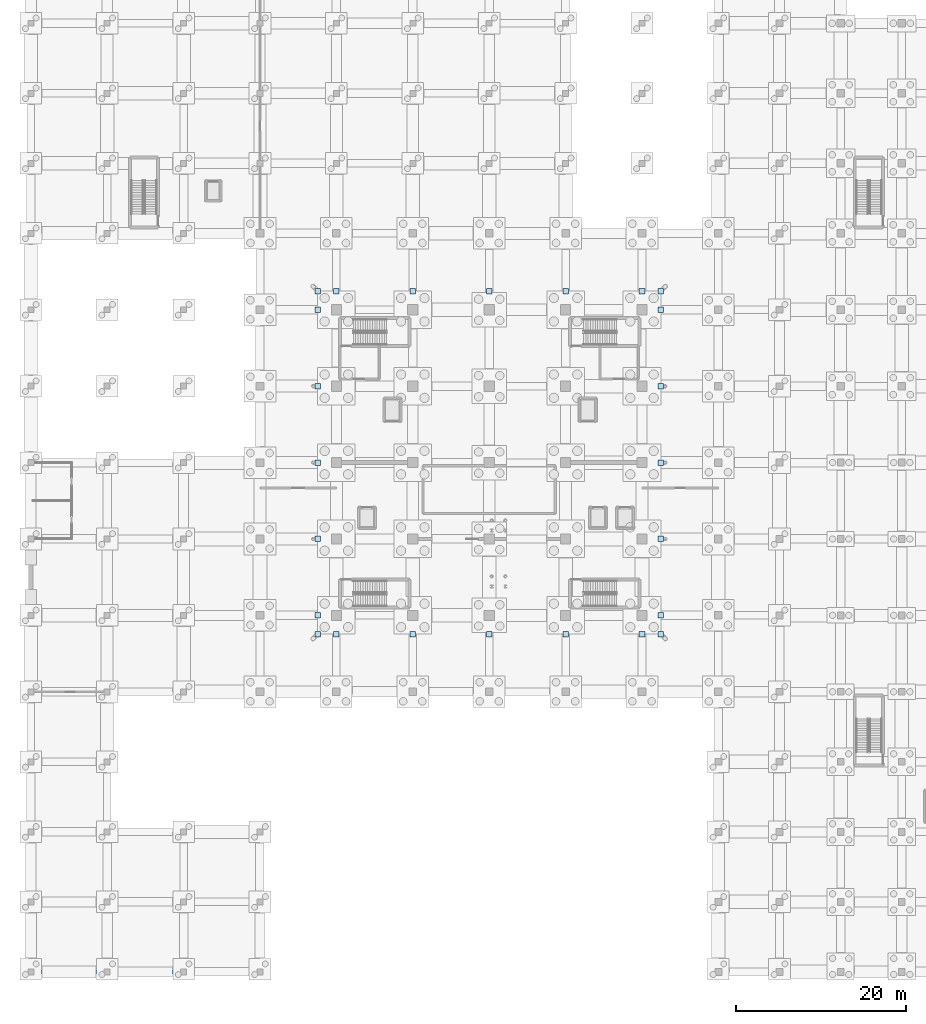
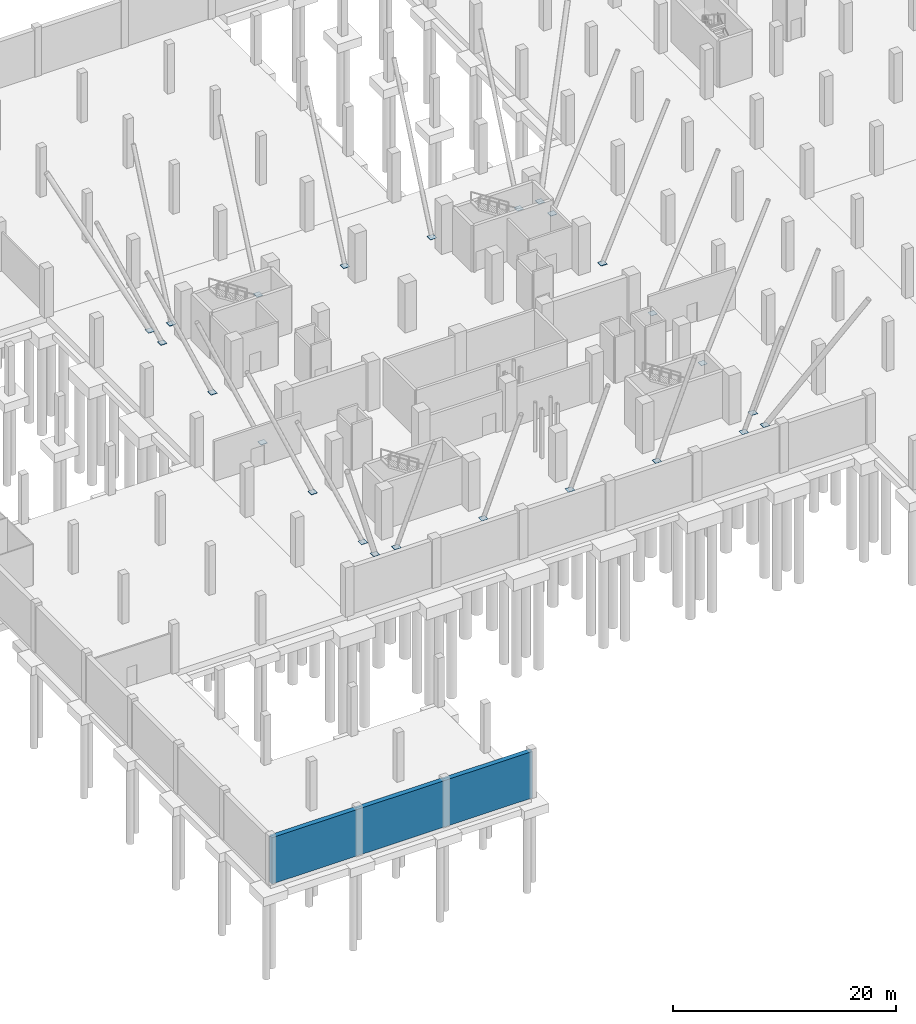
# One storey, part 22 of 42: 24 plates, 1 wall.
"""IFC4 building model written with IfcOpenShell, lengths in metres."""

from ifc_helpers import new_model, si_unit, direction, frame, frame_2d, origin, origin_with_axes, origin_2d, place, context, subcontext, project, spatial, rectangle, extrude, material, layer, layer_set, type_object, element, save


model = new_model("IFC4")

# Units and contexts
model_context = context("Model", 3, precision=1e-05, world=origin(), true_north=direction((0.0, 1.0)))
body_context = subcontext(model_context, "Body", "Model", "MODEL_VIEW")
ifc_project = project(units=[si_unit("LENGTHUNIT", "METRE"), si_unit("AREAUNIT", "SQUARE_METRE"), si_unit("VOLUMEUNIT", "CUBIC_METRE"), si_unit("PLANEANGLEUNIT", "RADIAN"), si_unit("MASSUNIT", "GRAM", prefix="KILO")], contexts=[model_context])

# Site, building, storey
site_placement = place(None, origin())
site = spatial("IfcSite", under=ifc_project, at=site_placement, CompositionType="ELEMENT")
building_placement = place(site_placement, origin())
building = spatial("IfcBuilding", under=site, at=building_placement, Name="Sundgate Opera House", CompositionType="ELEMENT")
storey_placement = place(building_placement, frame((0.0, 0.0, -5.39990234375)))
storey = spatial("IfcBuildingStorey", under=building, at=storey_placement, Name="B01", CompositionType="ELEMENT", Elevation=-5.39990234375)

# Plates
ifc_material_1 = material(Name="Steel S355J2", Category="steel")
ifc_layer_1 = layer(ifc_material_1, 0.02197265625)
ifc_layer_set_1 = layer_set([ifc_layer_1], Name="Steel S355J2")
plate_type_1 = type_object("IfcPlateType", Name="PT-GUS-22", PredefinedType="USERDEFINED", material=ifc_layer_set_1)
for number, where, z_axis, x_axis, name in (
    (1, (63.0, 39.800048828125, 0.0), (0.0, 0.0, 1.0), (1.0, 0.0, 0.0), "Cantilever Base Gusset Plate PT0411"),
    (2, (33.800048828125, 42.0, 0.0), (0.0, 0.0, 1.0), (1.0, 0.0, 0.0), "Cantilever Base Gusset Plate PT0425"),
    (3, (74.199951171875, 60.0, 0.0), (0.0, 0.0, 1.0), (1.0, 0.0, 0.0), "Cantilever Base Gusset Plate PT0439"),
):
    element("IfcPlate", number, at=place(storey_placement, frame(where, z_axis=z_axis, x_axis=x_axis)), inside=storey, type_object=plate_type_1, Name=name, ObjectType="GUSSET PLATE", PredefinedType="USERDEFINED", context=body_context, shape_type="SweptSolid", body=[
        extrude(rectangle(XDim=0.64990234375, YDim=0.64990234375, at=origin_2d()), origin(), (0.0, 0.0, 1.0), 0.02197265625),
    ])
ifc_material_2 = material(Name="Steel S355J2", Category="steel")
ifc_layer_2 = layer(ifc_material_2, 0.02490234375)
ifc_layer_set_2 = layer_set([ifc_layer_2], Name="Steel S355J2")
plate_type_2 = type_object("IfcPlateType", Name="PT-GUS-25", PredefinedType="USERDEFINED", material=ifc_layer_set_2)
for number, where, z_axis, x_axis, name in (
    (4, (54.0, 39.800048828125, 0.0), (0.0, 0.0, 1.0), (1.0, 0.0, 0.0), "Cantilever Base Gusset Plate PT0409"),
    (5, (72.0, 80.199951171875, 0.0), (0.0, 0.0, 1.0), (1.0, 0.0, 0.0), "Cantilever Base Gusset Plate PT0423"),
    (6, (74.199951171875, 51.0, 0.0), (0.0, 0.0, 1.0), (1.0, 0.0, 0.0), "Cantilever Base Gusset Plate PT0437"),
    (7, (74.199951171875, 80.199951171875, 0.0), (0.0, 0.0, 1.0), (1.0, 0.0, 0.0), "Cantilever Base Gusset Plate PT0451"),
):
    element("IfcPlate", number, at=place(storey_placement, frame(where, z_axis=z_axis, x_axis=x_axis)), inside=storey, type_object=plate_type_2, Name=name, ObjectType="GUSSET PLATE", PredefinedType="USERDEFINED", context=body_context, shape_type="SweptSolid", body=[
        extrude(rectangle(XDim=0.64990234375, YDim=0.64990234375, at=origin_2d()), origin(), (0.0, 0.0, 1.0), 0.02490234375),
    ])
ifc_material_3 = material(Name="Steel S355J2", Category="steel")
ifc_layer_3 = layer(ifc_material_3, 0.028076171875)
ifc_layer_set_3 = layer_set([ifc_layer_3], Name="Steel S355J2")
plate_type_3 = type_object("IfcPlateType", Name="PT-GUS-28", PredefinedType="USERDEFINED", material=ifc_layer_set_3)
for number, where, z_axis, x_axis, name in (
    (8, (45.0, 39.800048828125, 0.0), (0.0, 0.0, 1.0), (1.0, 0.0, 0.0), "Cantilever Base Gusset Plate PT0407"),
    (9, (63.0, 80.199951171875, 0.0), (0.0, 0.0, 1.0), (1.0, 0.0, 0.0), "Cantilever Base Gusset Plate PT0421"),
    (10, (74.199951171875, 42.0, 0.0), (0.0, 0.0, 1.0), (1.0, 0.0, 0.0), "Cantilever Base Gusset Plate PT0435"),
    (11, (33.800048828125, 80.199951171875, 0.0), (0.0, 0.0, 1.0), (1.0, 0.0, 0.0), "Cantilever Base Gusset Plate PT0449"),
):
    element("IfcPlate", number, at=place(storey_placement, frame(where, z_axis=z_axis, x_axis=x_axis)), inside=storey, type_object=plate_type_3, Name=name, ObjectType="GUSSET PLATE", PredefinedType="USERDEFINED", context=body_context, shape_type="SweptSolid", body=[
        extrude(rectangle(XDim=0.64990234375, YDim=0.64990234375, at=origin_2d()), origin(), (0.0, 0.0, 1.0), 0.028076171875),
    ])
ifc_material_4 = material(Name="Steel S355J2", Category="steel")
ifc_layer_4 = layer(ifc_material_4, 0.031982421875)
ifc_layer_set_4 = layer_set([ifc_layer_4], Name="Steel S355J2")
plate_type_4 = type_object("IfcPlateType", Name="PT-GUS-32", PredefinedType="USERDEFINED", material=ifc_layer_set_4)
for number, where, z_axis, x_axis, name in (
    (12, (36.0, 39.800048828125, 0.0), (0.0, 0.0, 1.0), (1.0, 0.0, 0.0), "Cantilever Base Gusset Plate PT0405"),
    (13, (54.0, 80.199951171875, 0.0), (0.0, 0.0, 1.0), (1.0, 0.0, 0.0), "Cantilever Base Gusset Plate PT0419"),
    (14, (33.800048828125, 78.0, 0.0), (0.0, 0.0, 1.0), (1.0, 0.0, 0.0), "Cantilever Base Gusset Plate PT0433"),
    (15, (74.199951171875, 39.800048828125, 0.0), (0.0, 0.0, 1.0), (1.0, 0.0, 0.0), "Cantilever Base Gusset Plate PT0447"),
):
    element("IfcPlate", number, at=place(storey_placement, frame(where, z_axis=z_axis, x_axis=x_axis)), inside=storey, type_object=plate_type_4, Name=name, ObjectType="GUSSET PLATE", PredefinedType="USERDEFINED", context=body_context, shape_type="SweptSolid", body=[
        extrude(rectangle(XDim=0.64990234375, YDim=0.64990234375, at=origin_2d()), origin(), (0.0, 0.0, 1.0), 0.031982421875),
    ])
ifc_material_5 = material(Name="Steel S355J2", Category="steel")
ifc_layer_5 = layer(ifc_material_5, 0.0380859375)
ifc_layer_set_5 = layer_set([ifc_layer_5], Name="Steel S355J2")
plate_type_5 = type_object("IfcPlateType", Name="PT-GUS-38", PredefinedType="USERDEFINED", material=ifc_layer_set_5)
for number, where, z_axis, x_axis, name in (
    (16, (72.0, 39.800048828125, -0.000244140625), (0.0, 0.0, 1.0), (1.0, 0.0, 0.0), "Cantilever Base Gusset Plate PT0413"),
    (17, (33.800048828125, 51.0, -0.000244140625), (0.0, 0.0, 1.0), (1.0, 0.0, 0.0), "Cantilever Base Gusset Plate PT0427"),
    (18, (74.199951171875, 69.0, -0.000244140625), (0.0, 0.0, 1.0), (1.0, 0.0, 0.0), "Cantilever Base Gusset Plate PT0441"),
):
    element("IfcPlate", number, at=place(storey_placement, frame(where, z_axis=z_axis, x_axis=x_axis)), inside=storey, type_object=plate_type_5, Name=name, ObjectType="GUSSET PLATE", PredefinedType="USERDEFINED", context=body_context, shape_type="SweptSolid", body=[
        extrude(rectangle(XDim=0.64990234375, YDim=0.64990234375, at=origin_2d()), origin(), (0.0, 0.0, 1.0), 0.0380859375),
    ])
ifc_material_6 = material(Name="Steel S355J2", Category="steel")
ifc_layer_6 = layer(ifc_material_6, 0.0419921875)
ifc_layer_set_6 = layer_set([ifc_layer_6], Name="Steel S355J2")
plate_type_6 = type_object("IfcPlateType", Name="PT-GUS-42", PredefinedType="USERDEFINED", material=ifc_layer_set_6)
for number, where, z_axis, x_axis, name in (
    (19, (36.0, 80.199951171875, 0.0), (0.0, 0.0, 1.0), (1.0, 0.0, 0.0), "Cantilever Base Gusset Plate PT0415"),
    (20, (33.800048828125, 60.0, 0.0), (0.0, 0.0, 1.0), (1.0, 0.0, 0.0), "Cantilever Base Gusset Plate PT0429"),
    (21, (74.199951171875, 78.0, 0.0), (0.0, 0.0, 1.0), (1.0, 0.0, 0.0), "Cantilever Base Gusset Plate PT0443"),
):
    element("IfcPlate", number, at=place(storey_placement, frame(where, z_axis=z_axis, x_axis=x_axis)), inside=storey, type_object=plate_type_6, Name=name, ObjectType="GUSSET PLATE", PredefinedType="USERDEFINED", context=body_context, shape_type="SweptSolid", body=[
        extrude(rectangle(XDim=0.64990234375, YDim=0.64990234375, at=origin_2d()), origin(), (0.0, 0.0, 1.0), 0.0419921875),
    ])
ifc_material_7 = material(Name="Steel S355J2", Category="steel")
ifc_layer_7 = layer(ifc_material_7, 0.048095703125)
ifc_layer_set_7 = layer_set([ifc_layer_7], Name="Steel S355J2")
plate_type_7 = type_object("IfcPlateType", Name="PT-GUS-48", PredefinedType="USERDEFINED", material=ifc_layer_set_7)
for number, where, z_axis, x_axis, name in (
    (22, (45.0, 80.199951171875, 0.0), (0.0, 0.0, 1.0), (1.0, 0.0, 0.0), "Cantilever Base Gusset Plate PT0417"),
    (23, (33.800048828125, 69.0, 0.0), (0.0, 0.0, 1.0), (1.0, 0.0, 0.0), "Cantilever Base Gusset Plate PT0431"),
    (24, (33.800048828125, 39.800048828125, 0.0), (0.0, 0.0, 1.0), (1.0, 0.0, 0.0), "Cantilever Base Gusset Plate PT0445"),
):
    element("IfcPlate", number, at=place(storey_placement, frame(where, z_axis=z_axis, x_axis=x_axis)), inside=storey, type_object=plate_type_7, Name=name, ObjectType="GUSSET PLATE", PredefinedType="USERDEFINED", context=body_context, shape_type="SweptSolid", body=[
        extrude(rectangle(XDim=0.64990234375, YDim=0.64990234375, at=origin_2d()), origin(), (0.0, 0.0, 1.0), 0.048095703125),
    ])

# Wall
ifc_material_8 = material(Name="Concrete C35/45", Category="concrete")
ifc_layer_8 = layer(ifc_material_8, 0.5)
ifc_layer_set_8 = layer_set([ifc_layer_8], Name="Concrete C35/45")
wall_type = type_object("IfcWallType", Name="WL-RET-500", PredefinedType="USERDEFINED", material=ifc_layer_set_8)
wall_placement = place(storey_placement, origin_with_axes())
element("IfcWall", 25, at=wall_placement, inside=storey, type_object=wall_type, Name="B01 Perimeter Retaining Wall W0001", ObjectType="RETAINING WALL", PredefinedType="USERDEFINED", context=body_context, shape_type="SweptSolid", body=[
    extrude(rectangle(XDim=27.0, YDim=0.5, at=frame_2d((13.5, 0.0))), origin(), (0.0, 0.0, 1.0), 5.079833984375),
])

save(model, "model.ifc")
